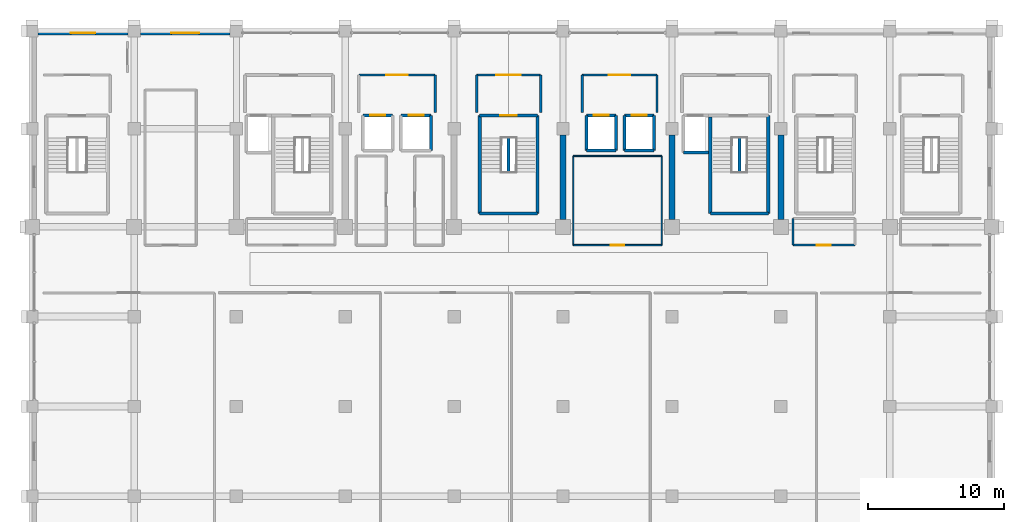
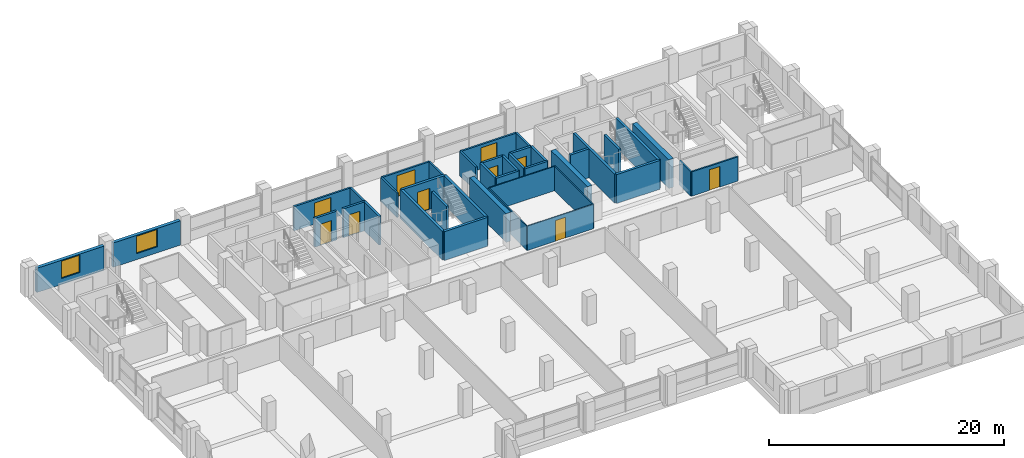
# One storey, part 18 of 21: 40 walls, 10 doors, 2 windows, 12 openings.
"""IFC4 building model written with IfcOpenShell, lengths in metres."""

from ifc_helpers import new_model, si_unit, direction, frame, frame_2d, origin, place, context, subcontext, project, spatial, rectangle, extrude, material, layer, layer_set, type_object, element, fill, save


model = new_model("IFC4")

# Units and contexts
model_context = context("Model", 3, precision=1e-05, world=origin(), true_north=direction((0.0, 1.0)))
body_context = subcontext(model_context, "Body", "Model", "MODEL_VIEW")
ifc_project = project(units=[si_unit("LENGTHUNIT", "METRE"), si_unit("AREAUNIT", "SQUARE_METRE"), si_unit("VOLUMEUNIT", "CUBIC_METRE"), si_unit("PLANEANGLEUNIT", "RADIAN"), si_unit("MASSUNIT", "GRAM", prefix="KILO")], contexts=[model_context])

# Site, building, storey
site_placement = place(None, origin())
site = spatial("IfcSite", under=ifc_project, at=site_placement, CompositionType="ELEMENT")
building_placement = place(site_placement, origin())
building = spatial("IfcBuilding", under=site, at=building_placement, Name="Akrevak Sports Hall", CompositionType="ELEMENT")
storey_placement = place(building_placement, frame((0.0, 0.0, 34.050048828125)))
storey = spatial("IfcBuildingStorey", under=building, at=storey_placement, Name="L07", CompositionType="ELEMENT", Elevation=34.050048828125)

# Wall, opening, window
ifc_material_1 = material(Name="Limestone Ashlar", Category="stone")
ifc_layer_1 = layer(ifc_material_1, 0.070068359375, Name="Limestone Ashlar")
ifc_material_2 = material(Name="Mineral Wool Thermal Insulation", Category="insulation")
ifc_layer_2 = layer(ifc_material_2, 0.090087890625, Name="Mineral Wool Thermal Insulation")
ifc_material_3 = material(Name="Concrete C40/50", Category="concrete")
ifc_layer_3 = layer(ifc_material_3, 0.159912109375, Name="Concrete C40/50")
ifc_layer_set_1 = layer_set([ifc_layer_1, ifc_layer_2, ifc_layer_3], Name="Limestone Ashlar / Mineral Wool Thermal Insulation / Concrete C40/50")
wall_type_1 = type_object("IfcWallType", Name="ARC-WL-EXT-320", PredefinedType="SOLIDWALL", material=ifc_layer_set_1)
wall_1_placement = place(storey_placement, frame((59.550048828125, 69.43994140625, 0.0), z_axis=(0.0, 0.0, 1.0), x_axis=(-1.0, 0.0, 0.0)))
wall_1 = element("IfcWall", 1, at=wall_1_placement, inside=storey, type_object=wall_type_1, Name="Tower Stone Facade Wall L07-N26", PredefinedType="SOLIDWALL", context=body_context, shape_type="SweptSolid", body=[
    extrude(rectangle(XDim=6.60009765625, YDim=0.320068359375, at=frame_2d((3.300048828125, 0.0))), origin(), (0.0, 0.0, 1.0), 2.530029296875),
])
opening_1_placement = place(wall_1_placement, frame((2.27490234375, 0.0, 0.6201171875)))
opening_1 = element("IfcOpeningElement", 2, at=opening_1_placement, cuts=wall_1, Name="Opening WN-53", PredefinedType="OPENING", context=body_context, shape_type="SweptSolid", body=[
    extrude(rectangle(XDim=2.050048828125, YDim=1.81005859375, at=frame_2d((1.02490234375, 0.905029296875))), frame((0.0, 0.171875, 0.0), z_axis=(0.0, -1.0, 0.0), x_axis=(1.0, 0.0, 0.0)), (0.0, 0.0, 1.0), 0.343994140625),
])
ifc_material_4 = material(Name="Thermally Broken Bronze Frame & Double Low-E Glass", Category="glass")
window_type_1 = type_object("IfcWindowType", Name="ARC-WIN-SZ-2050x1810", PartitioningType="SINGLE_PANEL", PredefinedType="WINDOW", material=ifc_material_4)
window_1_placement = place(opening_1_placement, origin())
window_1 = element("IfcWindow", 3, at=window_1_placement, inside=storey, type_object=window_type_1, Name="Tower Window L07-N26", OverallHeight=1.81005859375, OverallWidth=2.050048828125, PartitioningType="SINGLE_PANEL", PredefinedType="WINDOW", context=body_context, shape_type="SweptSolid", body=[
    extrude(rectangle(XDim=2.050048828125, YDim=1.81005859375, at=frame_2d((1.02490234375, 0.905029296875))), frame((0.0, 0.030029296875, 0.0), z_axis=(0.0, -1.0, 0.0), x_axis=(1.0, 0.0, 0.0)), (0.0, 0.0, 1.0), 0.06005859375),
])
fill(opening_1, window_1)

wall_2_placement = place(storey_placement, frame((52.050048828125, 69.43994140625, 0.0), z_axis=(0.0, 0.0, 1.0), x_axis=(-1.0, 0.0, 0.0)))
wall_2 = element("IfcWall", 4, at=wall_2_placement, inside=storey, type_object=wall_type_1, Name="Tower Stone Facade Wall L07-N27", PredefinedType="SOLIDWALL", context=body_context, shape_type="SweptSolid", body=[
    extrude(rectangle(XDim=6.60009765625, YDim=0.320068359375, at=frame_2d((3.300048828125, 0.0))), origin(), (0.0, 0.0, 1.0), 2.530029296875),
])
opening_2_placement = place(wall_2_placement, frame((2.39990234375, 0.0, 0.6201171875)))
opening_2 = element("IfcOpeningElement", 5, at=opening_2_placement, cuts=wall_2, Name="Opening WN-54", PredefinedType="OPENING", context=body_context, shape_type="SweptSolid", body=[
    extrude(rectangle(XDim=1.800048828125, YDim=1.81005859375, at=frame_2d((0.89990234375, 0.905029296875))), frame((0.0, 0.171875, 0.0), z_axis=(0.0, -1.0, 0.0), x_axis=(1.0, 0.0, 0.0)), (0.0, 0.0, 1.0), 0.343994140625),
])
window_type_2 = type_object("IfcWindowType", Name="ARC-WIN-SZ-1800x1810", PartitioningType="SINGLE_PANEL", PredefinedType="WINDOW", material=ifc_material_4)
window_2_placement = place(opening_2_placement, origin())
window_2 = element("IfcWindow", 6, at=window_2_placement, inside=storey, type_object=window_type_2, Name="Tower Window L07-N27", OverallHeight=1.81005859375, OverallWidth=1.800048828125, PartitioningType="SINGLE_PANEL", PredefinedType="WINDOW", context=body_context, shape_type="SweptSolid", body=[
    extrude(rectangle(XDim=1.800048828125, YDim=1.81005859375, at=frame_2d((0.89990234375, 0.905029296875))), frame((0.0, 0.030029296875, 0.0), z_axis=(0.0, -1.0, 0.0), x_axis=(1.0, 0.0, 0.0)), (0.0, 0.0, 1.0), 0.06005859375),
])
fill(opening_2, window_2)

# Wall, opening, door
ifc_material_5 = material(Name="Sanitary Cubicle Partition", Category="gypsum")
ifc_layer_4 = layer(ifc_material_5, 0.10009765625, Name="Sanitary Cubicle Partition")
ifc_layer_set_2 = layer_set([ifc_layer_4], Name="Sanitary Cubicle Partition")
wall_type_2 = type_object("IfcWallType", Name="ARC-WL-PRT-100", PredefinedType="PARTITIONING", material=ifc_layer_set_2)
wall_3_placement = place(storey_placement, frame((84.75, 53.85009765625, 0.0), z_axis=(0.0, 0.0, 1.0), x_axis=(1.0, 0.0, 0.0)))
wall_3 = element("IfcWall", 7, at=wall_3_placement, inside=storey, type_object=wall_type_2, Name="Interior Partition Sports Officiating Office L07-C1 (S)", PredefinedType="PARTITIONING", context=body_context, shape_type="SweptSolid", body=[
    extrude(rectangle(XDim=6.5, YDim=0.10009765625, at=frame_2d((3.25, 0.0))), origin(), (0.0, 0.0, 1.0), 2.530029296875),
])
opening_3_placement = place(wall_3_placement, frame((2.75, 0.0, 0.0)))
opening_3 = element("IfcOpeningElement", 8, at=opening_3_placement, cuts=wall_3, Name="Opening ID-06", PredefinedType="OPENING", context=body_context, shape_type="SweptSolid", body=[
    extrude(rectangle(XDim=1.0, YDim=2.14990234375, at=frame_2d((0.5, 1.074951171875))), frame((0.0, 0.06201171875, 0.0), z_axis=(0.0, -1.0, 0.0), x_axis=(1.0, 0.0, 0.0)), (0.0, 0.0, 1.0), 0.1240234375),
])
ifc_material_6 = material(Name="Hardwood Oak Acoustic Leaf", Category="wood")
door_type_1 = type_object("IfcDoorType", Name="ARC-DR-OFF-100x215", OperationType="NOTDEFINED", PredefinedType="DOOR", material=ifc_material_6)
door_1_placement = place(opening_3_placement, frame((1.0, 0.0, 0.0), z_axis=(0.0, 0.0, 1.0), x_axis=(-1.0, 0.0, 0.0)))
door_1 = element("IfcDoor", 9, at=door_1_placement, inside=storey, type_object=door_type_1, Name="Door to Sports Officiating Office L07-C1", OperationType="SINGLE_SWING_RIGHT", OverallHeight=2.14990234375, OverallWidth=1.0, PredefinedType="DOOR", context=body_context, shape_type="SweptSolid", body=[
    extrude(rectangle(XDim=1.0, YDim=2.14990234375, at=frame_2d((0.5, 1.074951171875))), frame((0.0, 0.02490234375, 0.0), z_axis=(0.0, -1.0, 0.0), x_axis=(1.0, 0.0, 0.0)), (0.0, 0.0, 1.0), 0.050048828125),
])
fill(opening_3, door_1)

# Walls
wall_4_placement = place(storey_placement, frame((84.75, 60.39990234375, 0.0), z_axis=(0.0, 0.0, 1.0), x_axis=(1.0, 0.0, 0.0)))
element("IfcWall", 10, at=wall_4_placement, inside=storey, type_object=wall_type_2, Name="Interior Partition Sports Officiating Office L07-C1 (N)", PredefinedType="PARTITIONING", context=body_context, shape_type="SweptSolid", body=[
    extrude(rectangle(XDim=6.5, YDim=0.10009765625, at=frame_2d((3.25, 0.0))), origin(), (0.0, 0.0, 1.0), 2.530029296875),
])
for number, where, z_axis, x_axis, name in (
    (11, (84.75, 53.85009765625, 0.0), (0.0, 0.0, 1.0), (0.0, 1.0, 0.0), "Interior Partition Sports Officiating Office L07-C1 (W)"),
    (12, (91.25, 53.85009765625, 0.0), (0.0, 0.0, 1.0), (0.0, 1.0, 0.0), "Interior Partition Sports Officiating Office L07-C1 (E)"),
):
    element("IfcWall", number, at=place(storey_placement, frame(where, z_axis=z_axis, x_axis=x_axis)), inside=storey, type_object=wall_type_2, Name=name, PredefinedType="PARTITIONING", context=body_context, shape_type="SweptSolid", body=[
        extrude(rectangle(XDim=6.5498046875, YDim=0.10009765625, at=frame_2d((3.27490234375, 0.0))), origin(), (0.0, 0.0, 1.0), 2.530029296875),
    ])

# Wall, opening, door
ifc_material_7 = material(Name="Double Stud Acoustic Gypsum Partition", Category="gypsum")
ifc_layer_5 = layer(ifc_material_7, 0.14990234375, Name="Double Stud Acoustic Gypsum Partition")
ifc_layer_set_3 = layer_set([ifc_layer_5], Name="Double Stud Acoustic Gypsum Partition")
wall_type_3 = type_object("IfcWallType", Name="ARC-WL-PRT-150", PredefinedType="PARTITIONING", material=ifc_layer_set_3)
wall_5_placement = place(storey_placement, frame((100.89990234375, 53.85009765625, 0.0), z_axis=(0.0, 0.0, 1.0), x_axis=(1.0, 0.0, 0.0)))
wall_5 = element("IfcWall", 13, at=wall_5_placement, inside=storey, type_object=wall_type_3, Name="Interior Partition Federation Research Office L07-E1 (S)", PredefinedType="PARTITIONING", context=body_context, shape_type="SweptSolid", body=[
    extrude(rectangle(XDim=4.550048828125, YDim=0.14990234375, at=frame_2d((2.27490234375, 0.0))), origin(), (0.0, 0.0, 1.0), 2.530029296875),
])
opening_4_placement = place(wall_5_placement, frame((1.72509765625, 0.0, 0.0)))
opening_4 = element("IfcOpeningElement", 14, at=opening_4_placement, cuts=wall_5, Name="Opening ID-05", PredefinedType="OPENING", context=body_context, shape_type="SweptSolid", body=[
    extrude(rectangle(XDim=1.050048828125, YDim=2.14990234375, at=frame_2d((0.52490234375, 1.074951171875))), frame((0.0, 0.0869140625, 0.0), z_axis=(0.0, -1.0, 0.0), x_axis=(1.0, 0.0, 0.0)), (0.0, 0.0, 1.0), 0.173828125),
])
door_type_2 = type_object("IfcDoorType", Name="ARC-DR-OFF-105x215", OperationType="NOTDEFINED", PredefinedType="DOOR", material=ifc_material_6)
door_2_placement = place(opening_4_placement, origin())
door_2 = element("IfcDoor", 15, at=door_2_placement, inside=storey, type_object=door_type_2, Name="Door to Federation Research Office L07-E1", OperationType="SINGLE_SWING_LEFT", OverallHeight=2.14990234375, OverallWidth=1.050048828125, PredefinedType="DOOR", context=body_context, shape_type="SweptSolid", body=[
    extrude(rectangle(XDim=1.050048828125, YDim=2.14990234375, at=frame_2d((0.52490234375, 1.074951171875))), frame((0.0, 0.02490234375, 0.0), z_axis=(0.0, -1.0, 0.0), x_axis=(1.0, 0.0, 0.0)), (0.0, 0.0, 1.0), 0.050048828125),
])
fill(opening_4, door_2)

# Wall
wall_6_placement = place(storey_placement, frame((100.89990234375, 53.85009765625, 0.0), z_axis=(0.0, 0.0, 1.0), x_axis=(0.0, 1.0, 0.0)))
element("IfcWall", 16, at=wall_6_placement, inside=storey, type_object=wall_type_3, Name="Interior Partition Federation Research Office L07-E1 (W)", PredefinedType="PARTITIONING", context=body_context, shape_type="SweptSolid", body=[
    extrude(rectangle(XDim=1.949951171875, YDim=0.14990234375, at=frame_2d((0.97509765625, 0.0))), origin(), (0.0, 0.0, 1.0), 2.530029296875),
])

# Wall, opening, door
ifc_material_8 = material(Name="Autoclaved Aerated Masonry Block", Category="masonry")
ifc_layer_6 = layer(ifc_material_8, 0.179931640625, Name="Autoclaved Aerated Masonry Block")
ifc_layer_set_4 = layer_set([ifc_layer_6], Name="Autoclaved Aerated Masonry Block")
wall_type_4 = type_object("IfcWallType", Name="ARC-WL-PRT-180", PredefinedType="PARTITIONING", material=ifc_layer_set_4)
wall_7_placement = place(storey_placement, frame((69.0, 66.35009765625, 0.0), z_axis=(0.0, 0.0, 1.0), x_axis=(1.0, 0.0, 0.0)))
wall_7 = element("IfcWall", 17, at=wall_7_placement, inside=storey, type_object=wall_type_4, Name="Interior Partition West Passenger Lift Lobby L07 (N)", PredefinedType="PARTITIONING", context=body_context, shape_type="SweptSolid", body=[
    extrude(rectangle(XDim=5.60009765625, YDim=0.179931640625, at=frame_2d((2.800048828125, 0.0))), origin(), (0.0, 0.0, 1.0), 2.530029296875),
])
opening_5_placement = place(wall_7_placement, frame((2.0, 0.0, 0.0)))
opening_5 = element("IfcOpeningElement", 18, at=opening_5_placement, cuts=wall_7, Name="Opening ID-03", PredefinedType="OPENING", context=body_context, shape_type="SweptSolid", body=[
    extrude(rectangle(XDim=1.60009765625, YDim=2.199951171875, at=frame_2d((0.800048828125, 1.10009765625))), frame((0.0, 0.10205078125, 0.0), z_axis=(0.0, -1.0, 0.0), x_axis=(1.0, 0.0, 0.0)), (0.0, 0.0, 1.0), 0.203857421875),
])
ifc_material_9 = material(Name="Hardwood Oak & Safety Glass", Category="wood")
door_type_3 = type_object("IfcDoorType", Name="ARC-DR-HALL-160x220", OperationType="DOUBLE_DOOR_SINGLE_SWING", PredefinedType="DOOR", material=ifc_material_9)
door_3_placement = place(opening_5_placement, origin())
door_3 = element("IfcDoor", 19, at=door_3_placement, inside=storey, type_object=door_type_3, Name="Door to West Passenger Lift Lobby L07", OperationType="DOUBLE_DOOR_SINGLE_SWING", OverallHeight=2.199951171875, OverallWidth=1.60009765625, PredefinedType="DOOR", context=body_context, shape_type="SweptSolid", body=[
    extrude(rectangle(XDim=1.60009765625, YDim=2.199951171875, at=frame_2d((0.800048828125, 1.10009765625))), frame((0.0, 0.02490234375, 0.0), z_axis=(0.0, -1.0, 0.0), x_axis=(1.0, 0.0, 0.0)), (0.0, 0.0, 1.0), 0.050048828125),
])
fill(opening_5, door_3)

# Wall
wall_8_placement = place(storey_placement, frame((74.60009765625, 63.60009765625, 0.0), z_axis=(0.0, 0.0, 1.0), x_axis=(0.0, 1.0, 0.0)))
element("IfcWall", 20, at=wall_8_placement, inside=storey, type_object=wall_type_4, Name="Interior Partition West Passenger Lift Lobby L07 (E)", PredefinedType="PARTITIONING", context=body_context, shape_type="SweptSolid", body=[
    extrude(rectangle(XDim=2.75, YDim=0.179931640625, at=frame_2d((1.375, 0.0))), origin(), (0.0, 0.0, 1.0), 2.530029296875),
])

# Wall, opening, door
wall_9_placement = place(storey_placement, frame((85.39990234375, 66.35009765625, 0.0), z_axis=(0.0, 0.0, 1.0), x_axis=(1.0, 0.0, 0.0)))
wall_9 = element("IfcWall", 21, at=wall_9_placement, inside=storey, type_object=wall_type_4, Name="Interior Partition East Passenger Lift Lobby L07 (N)", PredefinedType="PARTITIONING", context=body_context, shape_type="SweptSolid", body=[
    extrude(rectangle(XDim=5.5, YDim=0.179931640625, at=frame_2d((2.75, 0.0))), origin(), (0.0, 0.0, 1.0), 2.530029296875),
])
opening_6_placement = place(wall_9_placement, frame((1.949951171875, 0.0, 0.0)))
opening_6 = element("IfcOpeningElement", 22, at=opening_6_placement, cuts=wall_9, Name="Opening ID-03", PredefinedType="OPENING", context=body_context, shape_type="SweptSolid", body=[
    extrude(rectangle(XDim=1.60009765625, YDim=2.199951171875, at=frame_2d((0.800048828125, 1.10009765625))), frame((0.0, 0.10205078125, 0.0), z_axis=(0.0, -1.0, 0.0), x_axis=(1.0, 0.0, 0.0)), (0.0, 0.0, 1.0), 0.203857421875),
])
door_4_placement = place(opening_6_placement, origin())
door_4 = element("IfcDoor", 23, at=door_4_placement, inside=storey, type_object=door_type_3, Name="Door to East Passenger Lift Lobby L07", OperationType="DOUBLE_DOOR_SINGLE_SWING", OverallHeight=2.199951171875, OverallWidth=1.60009765625, PredefinedType="DOOR", context=body_context, shape_type="SweptSolid", body=[
    extrude(rectangle(XDim=1.60009765625, YDim=2.199951171875, at=frame_2d((0.800048828125, 1.10009765625))), frame((0.0, 0.02490234375, 0.0), z_axis=(0.0, -1.0, 0.0), x_axis=(1.0, 0.0, 0.0)), (0.0, 0.0, 1.0), 0.050048828125),
])
fill(opening_6, door_4)

# Walls
for number, where, z_axis, x_axis, name in (
    (24, (85.39990234375, 63.60009765625, 0.0), (0.0, 0.0, 1.0), (0.0, 1.0, 0.0), "Interior Partition East Passenger Lift Lobby L07 (W)"),
    (25, (90.89990234375, 63.60009765625, 0.0), (0.0, 0.0, 1.0), (0.0, 1.0, 0.0), "Interior Partition East Passenger Lift Lobby L07 (E)"),
):
    element("IfcWall", number, at=place(storey_placement, frame(where, z_axis=z_axis, x_axis=x_axis)), inside=storey, type_object=wall_type_4, Name=name, PredefinedType="PARTITIONING", context=body_context, shape_type="SweptSolid", body=[
        extrude(rectangle(XDim=2.75, YDim=0.179931640625, at=frame_2d((1.375, 0.0))), origin(), (0.0, 0.0, 1.0), 2.530029296875),
    ])

# Wall, opening, door
wall_10_placement = place(storey_placement, frame((77.64990234375, 66.35009765625, 0.0), z_axis=(0.0, 0.0, 1.0), x_axis=(1.0, 0.0, 0.0)))
wall_10 = element("IfcWall", 26, at=wall_10_placement, inside=storey, type_object=wall_type_4, Name="Interior Partition Central Stair ST3 Vestibule L07 (N)", PredefinedType="PARTITIONING", context=body_context, shape_type="SweptSolid", body=[
    extrude(rectangle(XDim=4.7001953125, YDim=0.179931640625, at=frame_2d((2.35009765625, 0.0))), origin(), (0.0, 0.0, 1.0), 2.530029296875),
])
opening_7_placement = place(wall_10_placement, frame((1.449951171875, 0.0, 0.0)))
opening_7 = element("IfcOpeningElement", 27, at=opening_7_placement, cuts=wall_10, Name="Opening FD-02", PredefinedType="OPENING", context=body_context, shape_type="SweptSolid", body=[
    extrude(rectangle(XDim=1.800048828125, YDim=2.199951171875, at=frame_2d((0.89990234375, 1.10009765625))), frame((0.0, 0.10205078125, 0.0), z_axis=(0.0, -1.0, 0.0), x_axis=(1.0, 0.0, 0.0)), (0.0, 0.0, 1.0), 0.203857421875),
])
ifc_material_10 = material(Name="Fire-Rated Galvanized Door Steel", Category="steel")
door_type_4 = type_object("IfcDoorType", Name="ARC-DR-FIRE-180x220", OperationType="DOUBLE_DOOR_SINGLE_SWING", PredefinedType="DOOR", material=ifc_material_10)
door_5_placement = place(opening_7_placement, frame((1.800048828125, 0.0, 0.0), z_axis=(0.0, 0.0, 1.0), x_axis=(-1.0, 0.0, 0.0)))
door_5 = element("IfcDoor", 28, at=door_5_placement, inside=storey, type_object=door_type_4, Name="Door to Central Stair ST3 Vestibule L07", OperationType="DOUBLE_DOOR_SINGLE_SWING", OverallHeight=2.199951171875, OverallWidth=1.800048828125, PredefinedType="DOOR", context=body_context, shape_type="SweptSolid", body=[
    extrude(rectangle(XDim=1.800048828125, YDim=2.199951171875, at=frame_2d((0.89990234375, 1.10009765625))), frame((0.0, 0.02490234375, 0.0), z_axis=(0.0, -1.0, 0.0), x_axis=(1.0, 0.0, 0.0)), (0.0, 0.0, 1.0), 0.050048828125),
])
fill(opening_7, door_5)

# Walls
for number, where, z_axis, x_axis, name in (
    (29, (77.64990234375, 63.60009765625, 0.0), (0.0, 0.0, 1.0), (0.0, 1.0, 0.0), "Interior Partition Central Stair ST3 Vestibule L07 (W)"),
    (30, (82.35009765625, 63.60009765625, 0.0), (0.0, 0.0, 1.0), (0.0, 1.0, 0.0), "Interior Partition Central Stair ST3 Vestibule L07 (E)"),
):
    element("IfcWall", number, at=place(storey_placement, frame(where, z_axis=z_axis, x_axis=x_axis)), inside=storey, type_object=wall_type_4, Name=name, PredefinedType="PARTITIONING", context=body_context, shape_type="SweptSolid", body=[
        extrude(rectangle(XDim=2.75, YDim=0.179931640625, at=frame_2d((1.375, 0.0))), origin(), (0.0, 0.0, 1.0), 2.530029296875),
    ])
ifc_layer_7 = layer(ifc_material_3, 0.219970703125, Name="Concrete C40/50")
ifc_layer_set_5 = layer_set([ifc_layer_7], Name="Concrete C40/50")
wall_type_5 = type_object("IfcWallType", Name="ARC-WL-PRT-220", PredefinedType="PARTITIONING", material=ifc_layer_set_5)
for number, where, z_axis, x_axis, name in (
    (31, (96.949951171875, 59.215087890625, 0.0), (0.0, 0.0, 1.0), (0.0, 1.0, 0.0), "Stair ST2 Central Spine Wall (L07)"),
    (32, (80.0, 59.215087890625, 0.0), (0.0, 0.0, 1.0), (0.0, 1.0, 0.0), "Stair ST3 Central Spine Wall (L07)"),
):
    element("IfcWall", number, at=place(storey_placement, frame(where, z_axis=z_axis, x_axis=x_axis)), inside=storey, type_object=wall_type_5, Name=name, PredefinedType="PARTITIONING", context=body_context, shape_type="SweptSolid", body=[
        extrude(rectangle(XDim=2.52001953125, YDim=0.219970703125, at=frame_2d((1.260009765625, 0.0))), origin(), (0.0, 0.0, 1.0), 3.0),
    ])
ifc_material_11 = material(Name="Concrete C50/60", Category="concrete")
ifc_layer_8 = layer(ifc_material_11, 0.219970703125, Name="Concrete C50/60")
ifc_layer_set_6 = layer_set([ifc_layer_8], Name="Concrete C50/60")
wall_type_6 = type_object("IfcWallType", Name="ARC-WL-SHAFT-220", PredefinedType="SHEAR", material=ifc_layer_set_6)
wall_11_placement = place(storey_placement, frame((92.860107421875, 60.659912109375, 0.0), z_axis=(0.0, 0.0, 1.0), x_axis=(1.0, 0.0, 0.0)))
element("IfcWall", 33, at=wall_11_placement, inside=storey, type_object=wall_type_6, Name="Lift Shaft LF-FF2 Wall S (L07)", PredefinedType="SHEAR", context=body_context, shape_type="SweptSolid", body=[
    extrude(rectangle(XDim=1.83984375, YDim=0.219970703125, at=frame_2d((0.919921875, 0.0))), origin(), (0.0, 0.0, 1.0), 3.0),
])

# Wall, opening, door
wall_12_placement = place(storey_placement, frame((71.489990234375, 63.389892578125, 0.0), z_axis=(0.0, 0.0, 1.0), x_axis=(-1.0, 0.0, 0.0)))
wall_12 = element("IfcWall", 34, at=wall_12_placement, inside=storey, type_object=wall_type_6, Name="Lift Shaft LF-P1 Wall N (L07)", PredefinedType="SHEAR", context=body_context, shape_type="SweptSolid", body=[
    extrude(rectangle(XDim=2.179931640625, YDim=0.219970703125, at=frame_2d((1.08984375, 0.0))), origin(), (0.0, 0.0, 1.0), 3.0),
])
opening_8_placement = place(wall_12_placement, frame((0.5400390625, 0.0, 0.0)))
opening_8 = element("IfcOpeningElement", 35, at=opening_8_placement, cuts=wall_12, Name="Opening LD-01", PredefinedType="OPENING", context=body_context, shape_type="SweptSolid", body=[
    extrude(rectangle(XDim=1.10009765625, YDim=2.199951171875, at=frame_2d((0.550048828125, 1.10009765625))), frame((0.0, 0.1220703125, 0.0), z_axis=(0.0, -1.0, 0.0), x_axis=(1.0, 0.0, 0.0)), (0.0, 0.0, 1.0), 0.243896484375),
])
ifc_material_12 = material(Name="Brushed Stainless Steel 304", Category="steel")
door_type_5 = type_object("IfcDoorType", Name="ARC-DR-LD-110x220", OperationType="SLIDING_TO_LEFT", PredefinedType="DOOR", material=ifc_material_12)
door_6_placement = place(opening_8_placement, origin())
door_6 = element("IfcDoor", 36, at=door_6_placement, inside=storey, type_object=door_type_5, Name="Lift LF-P1 Sliding Landing Door (L07)", OperationType="SLIDING_TO_RIGHT", OverallHeight=2.199951171875, OverallWidth=1.10009765625, PredefinedType="DOOR", context=body_context, shape_type="SweptSolid", body=[
    extrude(rectangle(XDim=1.10009765625, YDim=2.199951171875, at=frame_2d((0.550048828125, 1.10009765625))), frame((0.0, 0.02490234375, 0.0), z_axis=(0.0, -1.0, 0.0), x_axis=(1.0, 0.0, 0.0)), (0.0, 0.0, 1.0), 0.050048828125),
])
fill(opening_8, door_6)

wall_13_placement = place(storey_placement, frame((74.2900390625, 63.389892578125, 0.0), z_axis=(0.0, 0.0, 1.0), x_axis=(-1.0, 0.0, 0.0)))
wall_13 = element("IfcWall", 37, at=wall_13_placement, inside=storey, type_object=wall_type_6, Name="Lift Shaft LF-P2 Wall N (L07)", PredefinedType="SHEAR", context=body_context, shape_type="SweptSolid", body=[
    extrude(rectangle(XDim=2.179931640625, YDim=0.219970703125, at=frame_2d((1.08984375, 0.0))), origin(), (0.0, 0.0, 1.0), 3.0),
])
opening_9_placement = place(wall_13_placement, frame((0.5400390625, 0.0, 0.0)))
opening_9 = element("IfcOpeningElement", 38, at=opening_9_placement, cuts=wall_13, Name="Opening LD-01", PredefinedType="OPENING", context=body_context, shape_type="SweptSolid", body=[
    extrude(rectangle(XDim=1.10009765625, YDim=2.199951171875, at=frame_2d((0.550048828125, 1.10009765625))), frame((0.0, 0.1220703125, 0.0), z_axis=(0.0, -1.0, 0.0), x_axis=(1.0, 0.0, 0.0)), (0.0, 0.0, 1.0), 0.243896484375),
])
door_7_placement = place(opening_9_placement, origin())
door_7 = element("IfcDoor", 39, at=door_7_placement, inside=storey, type_object=door_type_5, Name="Lift LF-P2 Sliding Landing Door (L07)", OperationType="SLIDING_TO_RIGHT", OverallHeight=2.199951171875, OverallWidth=1.10009765625, PredefinedType="DOOR", context=body_context, shape_type="SweptSolid", body=[
    extrude(rectangle(XDim=1.10009765625, YDim=2.199951171875, at=frame_2d((0.550048828125, 1.10009765625))), frame((0.0, 0.02490234375, 0.0), z_axis=(0.0, -1.0, 0.0), x_axis=(1.0, 0.0, 0.0)), (0.0, 0.0, 1.0), 0.050048828125),
])
fill(opening_9, door_7)

# Walls
wall_14_placement = place(storey_placement, frame((74.2900390625, 60.81005859375, 0.0), z_axis=(0.0, 0.0, 1.0), x_axis=(0.0, 1.0, 0.0)))
element("IfcWall", 40, at=wall_14_placement, inside=storey, type_object=wall_type_6, Name="Lift Shaft LF-P2 Wall E (L07)", PredefinedType="SHEAR", context=body_context, shape_type="SweptSolid", body=[
    extrude(rectangle(XDim=2.579833984375, YDim=0.219970703125, at=frame_2d((1.2900390625, 0.0))), origin(), (0.0, 0.0, 1.0), 3.0),
])
wall_15_placement = place(storey_placement, frame((85.7099609375, 60.81005859375, 0.0), z_axis=(0.0, 0.0, 1.0), x_axis=(1.0, 0.0, 0.0)))
element("IfcWall", 41, at=wall_15_placement, inside=storey, type_object=wall_type_6, Name="Lift Shaft LF-P3 Wall S (L07)", PredefinedType="SHEAR", context=body_context, shape_type="SweptSolid", body=[
    extrude(rectangle(XDim=2.179931640625, YDim=0.219970703125, at=frame_2d((1.08984375, 0.0))), origin(), (0.0, 0.0, 1.0), 3.0),
])

# Wall, opening, door
wall_16_placement = place(storey_placement, frame((87.889892578125, 63.389892578125, 0.0), z_axis=(0.0, 0.0, 1.0), x_axis=(-1.0, 0.0, 0.0)))
wall_16 = element("IfcWall", 42, at=wall_16_placement, inside=storey, type_object=wall_type_6, Name="Lift Shaft LF-P3 Wall N (L07)", PredefinedType="SHEAR", context=body_context, shape_type="SweptSolid", body=[
    extrude(rectangle(XDim=2.179931640625, YDim=0.219970703125, at=frame_2d((1.08984375, 0.0))), origin(), (0.0, 0.0, 1.0), 3.0),
])
opening_10_placement = place(wall_16_placement, frame((0.5400390625, 0.0, 0.0)))
opening_10 = element("IfcOpeningElement", 43, at=opening_10_placement, cuts=wall_16, Name="Opening LD-01", PredefinedType="OPENING", context=body_context, shape_type="SweptSolid", body=[
    extrude(rectangle(XDim=1.10009765625, YDim=2.199951171875, at=frame_2d((0.550048828125, 1.10009765625))), frame((0.0, 0.1220703125, 0.0), z_axis=(0.0, -1.0, 0.0), x_axis=(1.0, 0.0, 0.0)), (0.0, 0.0, 1.0), 0.243896484375),
])
door_8_placement = place(opening_10_placement, origin())
door_8 = element("IfcDoor", 44, at=door_8_placement, inside=storey, type_object=door_type_5, Name="Lift LF-P3 Sliding Landing Door (L07)", OperationType="SLIDING_TO_RIGHT", OverallHeight=2.199951171875, OverallWidth=1.10009765625, PredefinedType="DOOR", context=body_context, shape_type="SweptSolid", body=[
    extrude(rectangle(XDim=1.10009765625, YDim=2.199951171875, at=frame_2d((0.550048828125, 1.10009765625))), frame((0.0, 0.02490234375, 0.0), z_axis=(0.0, -1.0, 0.0), x_axis=(1.0, 0.0, 0.0)), (0.0, 0.0, 1.0), 0.050048828125),
])
fill(opening_10, door_8)

# Walls
for number, where, z_axis, x_axis, name in (
    (45, (85.7099609375, 63.389892578125, 0.0), (0.0, 0.0, 1.0), (0.0, -1.0, 0.0), "Lift Shaft LF-P3 Wall W (L07)"),
    (46, (87.889892578125, 60.81005859375, 0.0), (0.0, 0.0, 1.0), (0.0, 1.0, 0.0), "Lift Shaft LF-P3 Wall E (L07)"),
):
    element("IfcWall", number, at=place(storey_placement, frame(where, z_axis=z_axis, x_axis=x_axis)), inside=storey, type_object=wall_type_6, Name=name, PredefinedType="SHEAR", context=body_context, shape_type="SweptSolid", body=[
        extrude(rectangle(XDim=2.579833984375, YDim=0.219970703125, at=frame_2d((1.2900390625, 0.0))), origin(), (0.0, 0.0, 1.0), 3.0),
    ])
wall_17_placement = place(storey_placement, frame((88.510009765625, 60.81005859375, 0.0), z_axis=(0.0, 0.0, 1.0), x_axis=(1.0, 0.0, 0.0)))
element("IfcWall", 47, at=wall_17_placement, inside=storey, type_object=wall_type_6, Name="Lift Shaft LF-P4 Wall S (L07)", PredefinedType="SHEAR", context=body_context, shape_type="SweptSolid", body=[
    extrude(rectangle(XDim=2.179931640625, YDim=0.219970703125, at=frame_2d((1.08984375, 0.0))), origin(), (0.0, 0.0, 1.0), 3.0),
])

# Wall, opening, door
wall_18_placement = place(storey_placement, frame((90.68994140625, 63.389892578125, 0.0), z_axis=(0.0, 0.0, 1.0), x_axis=(-1.0, 0.0, 0.0)))
wall_18 = element("IfcWall", 48, at=wall_18_placement, inside=storey, type_object=wall_type_6, Name="Lift Shaft LF-P4 Wall N (L07)", PredefinedType="SHEAR", context=body_context, shape_type="SweptSolid", body=[
    extrude(rectangle(XDim=2.179931640625, YDim=0.219970703125, at=frame_2d((1.08984375, 0.0))), origin(), (0.0, 0.0, 1.0), 3.0),
])
opening_11_placement = place(wall_18_placement, frame((0.5400390625, 0.0, 0.0)))
opening_11 = element("IfcOpeningElement", 49, at=opening_11_placement, cuts=wall_18, Name="Opening LD-01", PredefinedType="OPENING", context=body_context, shape_type="SweptSolid", body=[
    extrude(rectangle(XDim=1.10009765625, YDim=2.199951171875, at=frame_2d((0.550048828125, 1.10009765625))), frame((0.0, 0.1220703125, 0.0), z_axis=(0.0, -1.0, 0.0), x_axis=(1.0, 0.0, 0.0)), (0.0, 0.0, 1.0), 0.243896484375),
])
door_9_placement = place(opening_11_placement, origin())
door_9 = element("IfcDoor", 50, at=door_9_placement, inside=storey, type_object=door_type_5, Name="Lift LF-P4 Sliding Landing Door (L07)", OperationType="SLIDING_TO_RIGHT", OverallHeight=2.199951171875, OverallWidth=1.10009765625, PredefinedType="DOOR", context=body_context, shape_type="SweptSolid", body=[
    extrude(rectangle(XDim=1.10009765625, YDim=2.199951171875, at=frame_2d((0.550048828125, 1.10009765625))), frame((0.0, 0.02490234375, 0.0), z_axis=(0.0, -1.0, 0.0), x_axis=(1.0, 0.0, 0.0)), (0.0, 0.0, 1.0), 0.050048828125),
])
fill(opening_11, door_9)

# Walls
for number, where, z_axis, x_axis, name in (
    (51, (88.510009765625, 63.389892578125, 0.0), (0.0, 0.0, 1.0), (0.0, -1.0, 0.0), "Lift Shaft LF-P4 Wall W (L07)"),
    (52, (90.68994140625, 60.81005859375, 0.0), (0.0, 0.0, 1.0), (0.0, 1.0, 0.0), "Lift Shaft LF-P4 Wall E (L07)"),
):
    element("IfcWall", number, at=place(storey_placement, frame(where, z_axis=z_axis, x_axis=x_axis)), inside=storey, type_object=wall_type_6, Name=name, PredefinedType="SHEAR", context=body_context, shape_type="SweptSolid", body=[
        extrude(rectangle(XDim=2.579833984375, YDim=0.219970703125, at=frame_2d((1.2900390625, 0.0))), origin(), (0.0, 0.0, 1.0), 3.0),
    ])
ifc_layer_9 = layer(ifc_material_11, 0.449951171875, Name="Concrete C50/60")
ifc_layer_set_7 = layer_set([ifc_layer_9], Name="Concrete C50/60")
wall_type_7 = type_object("IfcWallType", Name="STR-WL-CORE-450", PredefinedType="SHEAR", material=ifc_layer_set_7)
for number, where, z_axis, x_axis, name in (
    (53, (84.0, 55.75, 0.0), (0.0, 0.0, 1.0), (0.0, 1.0, 0.0), "Reinforced Concrete Shear Wall SW-C2 (L07)"),
    (54, (92.0, 55.75, 0.0), (0.0, 0.0, 1.0), (0.0, 1.0, 0.0), "Reinforced Concrete Shear Wall SW-E1 (L07)"),
    (55, (100.0, 55.75, 0.0), (0.0, 0.0, 1.0), (0.0, 1.0, 0.0), "Reinforced Concrete Shear Wall SW-E2 (L07)"),
):
    element("IfcWall", number, at=place(storey_placement, frame(where, z_axis=z_axis, x_axis=x_axis)), inside=storey, type_object=wall_type_7, Name=name, PredefinedType="SHEAR", context=body_context, shape_type="SweptSolid", body=[
        extrude(rectangle(XDim=6.199951171875, YDim=0.449951171875, at=frame_2d((3.10009765625, 0.0))), origin(), (0.0, 0.0, 1.0), 3.0),
    ])
ifc_layer_10 = layer(ifc_material_11, 0.25, Name="Concrete C50/60")
ifc_layer_set_8 = layer_set([ifc_layer_10], Name="Concrete C50/60")
wall_type_8 = type_object("IfcWallType", Name="STR-WL-STAIR-250", PredefinedType="SHEAR", material=ifc_layer_set_8)
wall_19_placement = place(storey_placement, frame((94.824951171875, 56.175048828125, 0.0), z_axis=(0.0, 0.0, 1.0), x_axis=(1.0, 0.0, 0.0)))
element("IfcWall", 56, at=wall_19_placement, inside=storey, type_object=wall_type_8, Name="Stair Core ST2 Shear Wall S (L07)", PredefinedType="SHEAR", context=body_context, shape_type="SweptSolid", body=[
    extrude(rectangle(XDim=4.25, YDim=0.25, at=frame_2d((2.125, 0.0))), origin(), (0.0, 0.0, 1.0), 3.0),
])
wall_20_placement = place(storey_placement, frame((94.824951171875, 63.25, 0.0), z_axis=(0.0, 0.0, 1.0), x_axis=(0.0, -1.0, 0.0)))
element("IfcWall", 57, at=wall_20_placement, inside=storey, type_object=wall_type_8, Name="Stair Core ST2 Shear Wall W (L07)", PredefinedType="SHEAR", context=body_context, shape_type="SweptSolid", body=[
    extrude(rectangle(XDim=7.074951171875, YDim=0.25, at=frame_2d((3.53759765625, 0.0))), origin(), (0.0, 0.0, 1.0), 3.0),
])
wall_21_placement = place(storey_placement, frame((99.074951171875, 56.175048828125, 0.0), z_axis=(0.0, 0.0, 1.0), x_axis=(0.0, 1.0, 0.0)))
element("IfcWall", 58, at=wall_21_placement, inside=storey, type_object=wall_type_8, Name="Stair Core ST2 Shear Wall E (L07)", PredefinedType="SHEAR", context=body_context, shape_type="SweptSolid", body=[
    extrude(rectangle(XDim=7.199951171875, YDim=0.25, at=frame_2d((3.60009765625, 0.0))), origin(), (0.0, 0.0, 1.0), 3.0),
])
wall_22_placement = place(storey_placement, frame((77.875, 56.175048828125, 0.0), z_axis=(0.0, 0.0, 1.0), x_axis=(1.0, 0.0, 0.0)))
element("IfcWall", 59, at=wall_22_placement, inside=storey, type_object=wall_type_8, Name="Stair Core ST3 Shear Wall S (L07)", PredefinedType="SHEAR", context=body_context, shape_type="SweptSolid", body=[
    extrude(rectangle(XDim=4.25, YDim=0.25, at=frame_2d((2.125, 0.0))), origin(), (0.0, 0.0, 1.0), 3.0),
])

# Wall, opening, door
wall_23_placement = place(storey_placement, frame((82.125, 63.375, 0.0), z_axis=(0.0, 0.0, 1.0), x_axis=(-1.0, 0.0, 0.0)))
wall_23 = element("IfcWall", 60, at=wall_23_placement, inside=storey, type_object=wall_type_8, Name="Stair Core ST3 Shear Wall N (L07)", PredefinedType="SHEAR", context=body_context, shape_type="SweptSolid", body=[
    extrude(rectangle(XDim=4.25, YDim=0.25, at=frame_2d((2.125, 0.0))), origin(), (0.0, 0.0, 1.0), 3.0),
])
opening_12_placement = place(wall_23_placement, frame((1.52490234375, 0.0, 0.0)))
opening_12 = element("IfcOpeningElement", 61, at=opening_12_placement, cuts=wall_23, Name="Opening SD-02", PredefinedType="OPENING", context=body_context, shape_type="SweptSolid", body=[
    extrude(rectangle(XDim=1.199951171875, YDim=2.199951171875, at=frame_2d((0.60009765625, 1.10009765625))), frame((0.0, 0.136962890625, 0.0), z_axis=(0.0, -1.0, 0.0), x_axis=(1.0, 0.0, 0.0)), (0.0, 0.0, 1.0), 0.27392578125),
])
door_type_6 = type_object("IfcDoorType", Name="ARC-DR-STAIR-120x220", OperationType="NOTDEFINED", PredefinedType="DOOR", material=ifc_material_10)
door_10_placement = place(opening_12_placement, origin())
door_10 = element("IfcDoor", 62, at=door_10_placement, inside=storey, type_object=door_type_6, Name="Exit Stair ST3 Door (L07)", OperationType="SINGLE_SWING_LEFT", OverallHeight=2.199951171875, OverallWidth=1.199951171875, PredefinedType="DOOR", context=body_context, shape_type="SweptSolid", body=[
    extrude(rectangle(XDim=1.199951171875, YDim=2.199951171875, at=frame_2d((0.60009765625, 1.10009765625))), frame((0.0, 0.02490234375, 0.0), z_axis=(0.0, -1.0, 0.0), x_axis=(1.0, 0.0, 0.0)), (0.0, 0.0, 1.0), 0.050048828125),
])
fill(opening_12, door_10)

# Walls
for number, where, z_axis, x_axis, name in (
    (63, (77.875, 63.375, 0.0), (0.0, 0.0, 1.0), (0.0, -1.0, 0.0), "Stair Core ST3 Shear Wall W (L07)"),
    (64, (82.125, 56.175048828125, 0.0), (0.0, 0.0, 1.0), (0.0, 1.0, 0.0), "Stair Core ST3 Shear Wall E (L07)"),
):
    element("IfcWall", number, at=place(storey_placement, frame(where, z_axis=z_axis, x_axis=x_axis)), inside=storey, type_object=wall_type_8, Name=name, PredefinedType="SHEAR", context=body_context, shape_type="SweptSolid", body=[
        extrude(rectangle(XDim=7.199951171875, YDim=0.25, at=frame_2d((3.60009765625, 0.0))), origin(), (0.0, 0.0, 1.0), 3.0),
    ])

save(model, "model.ifc")
